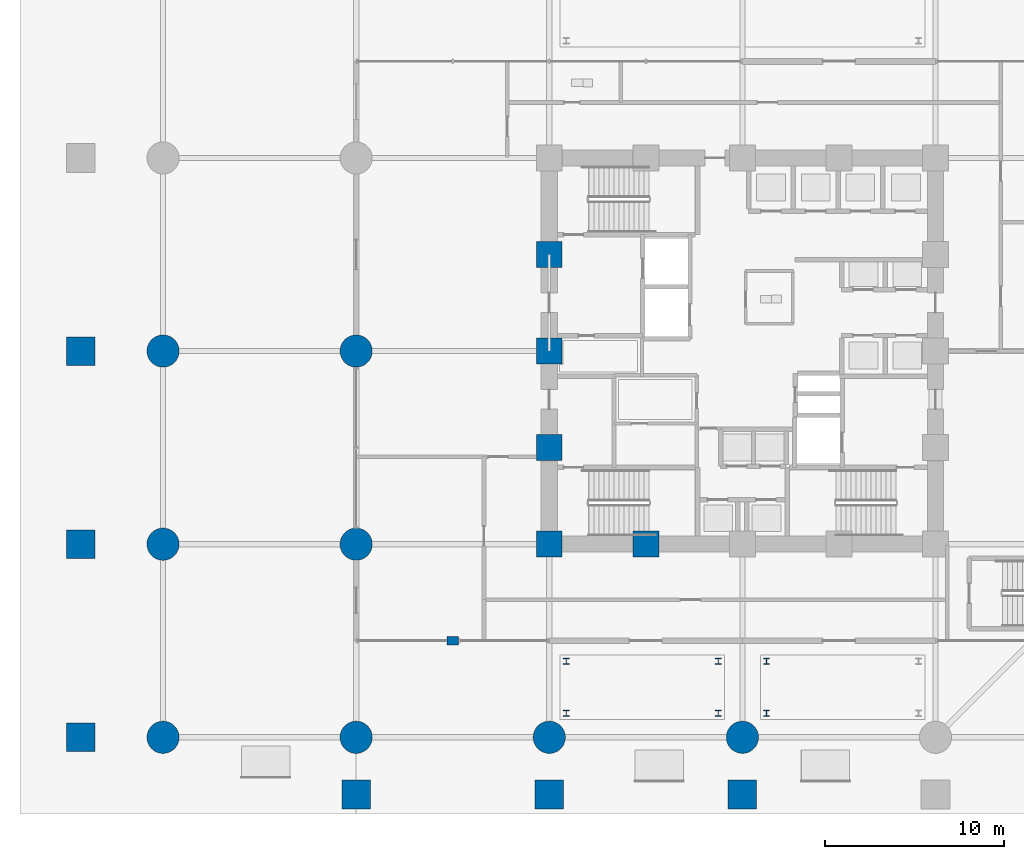
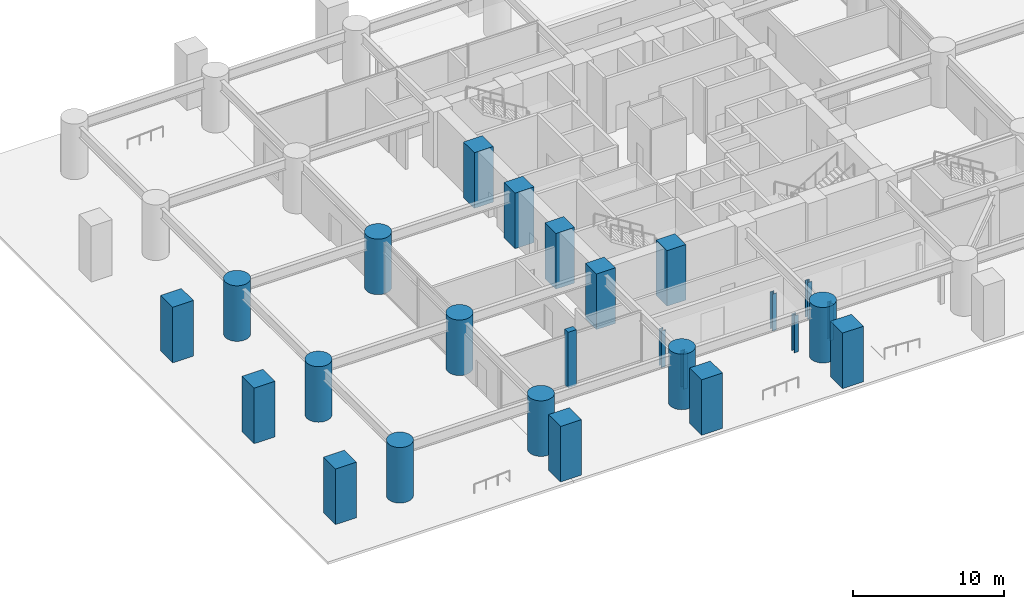
# One storey, part 1 of 29: 26 columns.
"""IFC4 building model written with IfcOpenShell, lengths in metres."""

from ifc_helpers import new_model, si_unit, direction, frame, origin, origin_2d, place, context, subcontext, project, spatial, rectangle, circle, i_section, extrude, material, material_profile, profile_set, type_object, element, save


model = new_model("IFC4")

# Units and contexts
model_context = context("Model", 3, precision=1e-05, world=origin(), true_north=direction((0.0, 1.0)))
body_context = subcontext(model_context, "Body", "Model", "MODEL_VIEW")
ifc_project = project(units=[si_unit("LENGTHUNIT", "METRE"), si_unit("AREAUNIT", "SQUARE_METRE"), si_unit("VOLUMEUNIT", "CUBIC_METRE"), si_unit("PLANEANGLEUNIT", "RADIAN"), si_unit("MASSUNIT", "GRAM", prefix="KILO")], contexts=[model_context])

# Site, building, storey
site_placement = place(None, origin())
site = spatial("IfcSite", under=ifc_project, at=site_placement, CompositionType="ELEMENT")
building_placement = place(site_placement, origin())
building = spatial("IfcBuilding", under=site, at=building_placement, Name="Surkhivell Harbour Commons", CompositionType="ELEMENT")
storey_placement = place(building_placement, origin())
storey = spatial("IfcBuildingStorey", under=building, at=storey_placement, Name="L00", CompositionType="ELEMENT", Elevation=0.0)

# Columns
ifc_material_1 = material(Name="Concrete C80/95", Category="concrete")
ifc_material_profile_1 = material_profile(ifc_material_1, rectangle(XDim=1.449951171875, YDim=1.449951171875, at=origin_2d()), Name="RC-COL-1450x1450")
ifc_profile_set_1 = profile_set([ifc_material_profile_1], Name="Concrete C80/95")
column_type_1 = type_object("IfcColumnType", Name="COL-CORE-1450", PredefinedType="COLUMN", material=ifc_profile_set_1)
for number, where, z_axis, x_axis, name in (
    (1, (-10.800048828125, -10.800048828125, 0.0), (0.0, 0.0, 1.0), (1.0, 0.0, 0.0), "L00 Column CC-1 (-10.8,-10.8)"),
    (2, (-10.800048828125, -5.39990234375, 0.0), (0.0, 0.0, 1.0), (1.0, 0.0, 0.0), "L00 Column CC-1 (-10.8,-5.4)"),
    (3, (-10.800048828125, 0.0, 0.0), (0.0, 0.0, 1.0), (1.0, 0.0, 0.0), "L00 Column CC-1 (-10.8,0.0)"),
    (4, (-10.800048828125, 5.39990234375, 0.0), (0.0, 0.0, 1.0), (1.0, 0.0, 0.0), "L00 Column CC-1 (-10.8,5.4)"),
    (5, (-5.39990234375, -10.800048828125, 0.0), (0.0, 0.0, 1.0), (1.0, 0.0, 0.0), "L00 Column CC-1 (-5.4,-10.8)"),
):
    element("IfcColumn", number, at=place(storey_placement, frame(where, z_axis=z_axis, x_axis=x_axis)), inside=storey, type_object=column_type_1, Name=name, PredefinedType="COLUMN", context=body_context, shape_type="SweptSolid", body=[
        extrude(rectangle(XDim=1.449951171875, YDim=1.449951171875, at=origin_2d()), origin(), (0.0, 0.0, 1.0), 4.5),
    ])
ifc_material_2 = material(Name="Steel S355", Category="steel")
ifc_material_profile_2 = material_profile(ifc_material_2, i_section(OverallWidth=0.31396484375, OverallDepth=0.340087890625, WebThickness=0.01904296875, FlangeThickness=0.031494140625, at=origin_2d()), Name="UC305x305x198")
ifc_profile_set_2 = profile_set([ifc_material_profile_2], Name="Steel S355")
column_type_2 = type_object("IfcColumnType", Name="COL-CRN-UC305", PredefinedType="COLUMN", material=ifc_profile_set_2)
for number, where, z_axis, x_axis, name in (
    (6, (-9.85009765625, -20.25, 0.0), (0.0, 0.0, 1.0), (1.0, 0.0, 0.0), "L00 Canopy Support Post CAN-S1-1"),
    (7, (-1.35009765625, -20.25, 0.0), (0.0, 0.0, 1.0), (1.0, 0.0, 0.0), "L00 Canopy Support Post CAN-S1-2"),
    (8, (-1.35009765625, -17.35009765625, 0.0), (0.0, 0.0, 1.0), (1.0, 0.0, 0.0), "L00 Canopy Support Post CAN-S1-3"),
    (9, (-9.85009765625, -17.35009765625, 0.0), (0.0, 0.0, 1.0), (1.0, 0.0, 0.0), "L00 Canopy Support Post CAN-S1-4"),
    (10, (1.35009765625, -20.25, 0.0), (0.0, 0.0, 1.0), (1.0, 0.0, 0.0), "L00 Canopy Support Post CAN-S2-1"),
    (11, (1.35009765625, -17.35009765625, 0.0), (0.0, 0.0, 1.0), (1.0, 0.0, 0.0), "L00 Canopy Support Post CAN-S2-4"),
):
    element("IfcColumn", number, at=place(storey_placement, frame(where, z_axis=z_axis, x_axis=x_axis)), inside=storey, type_object=column_type_2, Name=name, PredefinedType="COLUMN", context=body_context, shape_type="SweptSolid", body=[
        extrude(i_section(OverallWidth=0.31396484375, OverallDepth=0.340087890625, WebThickness=0.01904296875, FlangeThickness=0.031494140625, at=origin_2d()), origin(), (0.0, 0.0, 1.0), 2.989990234375),
    ])
ifc_material_profile_3 = material_profile(ifc_material_1, rectangle(XDim=1.60009765625, YDim=1.60009765625, at=origin_2d()), Name="RC-COL-1600x1600")
ifc_profile_set_3 = profile_set([ifc_material_profile_3], Name="Concrete C80/95")
column_type_3 = type_object("IfcColumnType", Name="COL-MEGA-1600", PredefinedType="COLUMN", material=ifc_profile_set_3)
for number, where, z_axis, x_axis, name in (
    (12, (-37.0, -21.60009765625, 0.0), (0.0, 0.0, 1.0), (1.0, 0.0, 0.0), "L00 Column CM-1 (-37.0,-21.6)"),
    (13, (-37.0, -10.800048828125, 0.0), (0.0, 0.0, 1.0), (1.0, 0.0, 0.0), "L00 Column CM-1 (-37.0,-10.8)"),
    (14, (-37.0, 0.0, 0.0), (0.0, 0.0, 1.0), (1.0, 0.0, 0.0), "L00 Column CM-1 (-37.0,0.0)"),
    (15, (-21.60009765625, -24.800048828125, 0.0), (0.0, 0.0, 1.0), (1.0, 0.0, 0.0), "L00 Column CM-1 (-21.6,-24.8)"),
    (16, (-10.800048828125, -24.800048828125, 0.0), (0.0, 0.0, 1.0), (1.0, 0.0, 0.0), "L00 Column CM-1 (-10.8,-24.8)"),
    (17, (0.0, -24.800048828125, 0.0), (0.0, 0.0, 1.0), (1.0, 0.0, 0.0), "L00 Column CM-1 (0.0,-24.8)"),
):
    element("IfcColumn", number, at=place(storey_placement, frame(where, z_axis=z_axis, x_axis=x_axis)), inside=storey, type_object=column_type_3, Name=name, PredefinedType="COLUMN", context=body_context, shape_type="SweptSolid", body=[
        extrude(rectangle(XDim=1.60009765625, YDim=1.60009765625, at=origin_2d()), origin(), (0.0, 0.0, 1.0), 4.5),
    ])
ifc_material_3 = material(Name="Concrete C50/60", Category="concrete")
ifc_material_profile_4 = material_profile(ifc_material_3, rectangle(XDim=0.64990234375, YDim=0.449951171875, at=origin_2d()), Name="RC-PIL-650x450")
ifc_profile_set_4 = profile_set([ifc_material_profile_4], Name="Concrete C50/60")
column_type_4 = type_object("IfcColumnType", Name="COL-PIL-650", PredefinedType="PILASTER", material=ifc_profile_set_4)
column_placement = place(storey_placement, frame((-16.199951171875, -16.199951171875, 0.0), z_axis=(0.0, 0.0, 1.0), x_axis=(1.0, 0.0, 0.0)))
element("IfcColumn", 18, at=column_placement, inside=storey, type_object=column_type_4, Name="L00 Brick-Clad Entrance Pilaster 1", PredefinedType="PILASTER", context=body_context, shape_type="SweptSolid", body=[
    extrude(rectangle(XDim=0.64990234375, YDim=0.449951171875, at=origin_2d()), origin(), (0.0, 0.0, 1.0), 4.5),
])
ifc_material_profile_5 = material_profile(ifc_material_1, circle(Radius=0.89990234375, at=origin_2d()), Name="RC-CIRC-1800")
ifc_profile_set_5 = profile_set([ifc_material_profile_5], Name="Concrete C80/95")
column_type_5 = type_object("IfcColumnType", Name="COL-STILT-1800", PredefinedType="COLUMN", material=ifc_profile_set_5)
for number, where, z_axis, x_axis, name in (
    (19, (-32.39990234375, -21.60009765625, 0.0), (0.0, 0.0, 1.0), (1.0, 0.0, 0.0), "L00 Column CS-1 (-32.4,-21.6)"),
    (20, (-32.39990234375, -10.800048828125, 0.0), (0.0, 0.0, 1.0), (1.0, 0.0, 0.0), "L00 Column CS-1 (-32.4,-10.8)"),
    (21, (-32.39990234375, 0.0, 0.0), (0.0, 0.0, 1.0), (1.0, 0.0, 0.0), "L00 Column CS-1 (-32.4,0.0)"),
    (22, (-21.60009765625, -21.60009765625, 0.0), (0.0, 0.0, 1.0), (1.0, 0.0, 0.0), "L00 Column CS-1 (-21.6,-21.6)"),
    (23, (-21.60009765625, -10.800048828125, 0.0), (0.0, 0.0, 1.0), (1.0, 0.0, 0.0), "L00 Column CS-1 (-21.6,-10.8)"),
    (24, (-21.60009765625, 0.0, 0.0), (0.0, 0.0, 1.0), (1.0, 0.0, 0.0), "L00 Column CS-1 (-21.6,0.0)"),
    (25, (-10.800048828125, -21.60009765625, 0.0), (0.0, 0.0, 1.0), (1.0, 0.0, 0.0), "L00 Column CS-1 (-10.8,-21.6)"),
    (26, (0.0, -21.60009765625, 0.0), (0.0, 0.0, 1.0), (1.0, 0.0, 0.0), "L00 Column CS-1 (0.0,-21.6)"),
):
    element("IfcColumn", number, at=place(storey_placement, frame(where, z_axis=z_axis, x_axis=x_axis)), inside=storey, type_object=column_type_5, Name=name, PredefinedType="COLUMN", context=body_context, shape_type="SweptSolid", body=[
        extrude(circle(Radius=0.89990234375, at=origin_2d()), origin(), (0.0, 0.0, 1.0), 4.5),
    ])

save(model, "model.ifc")
